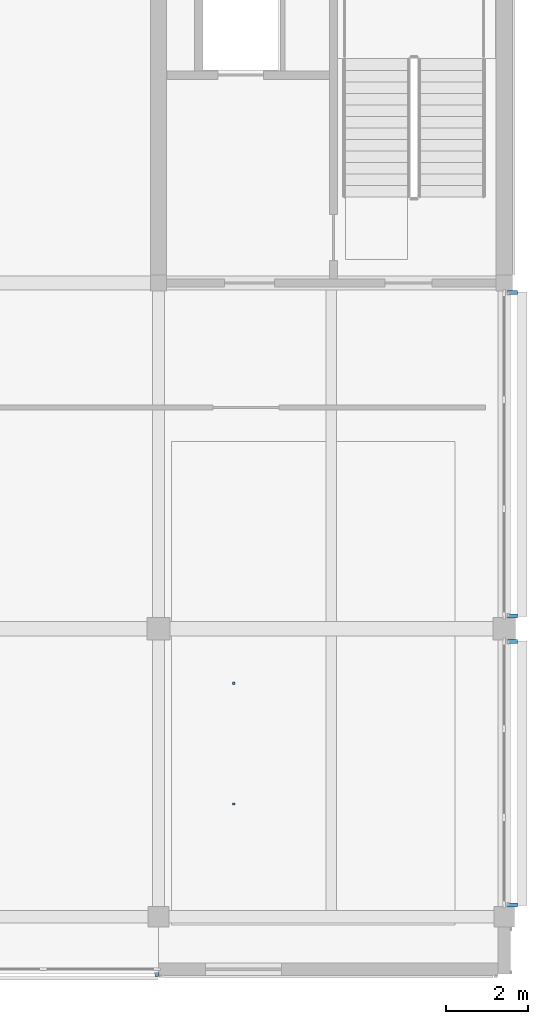
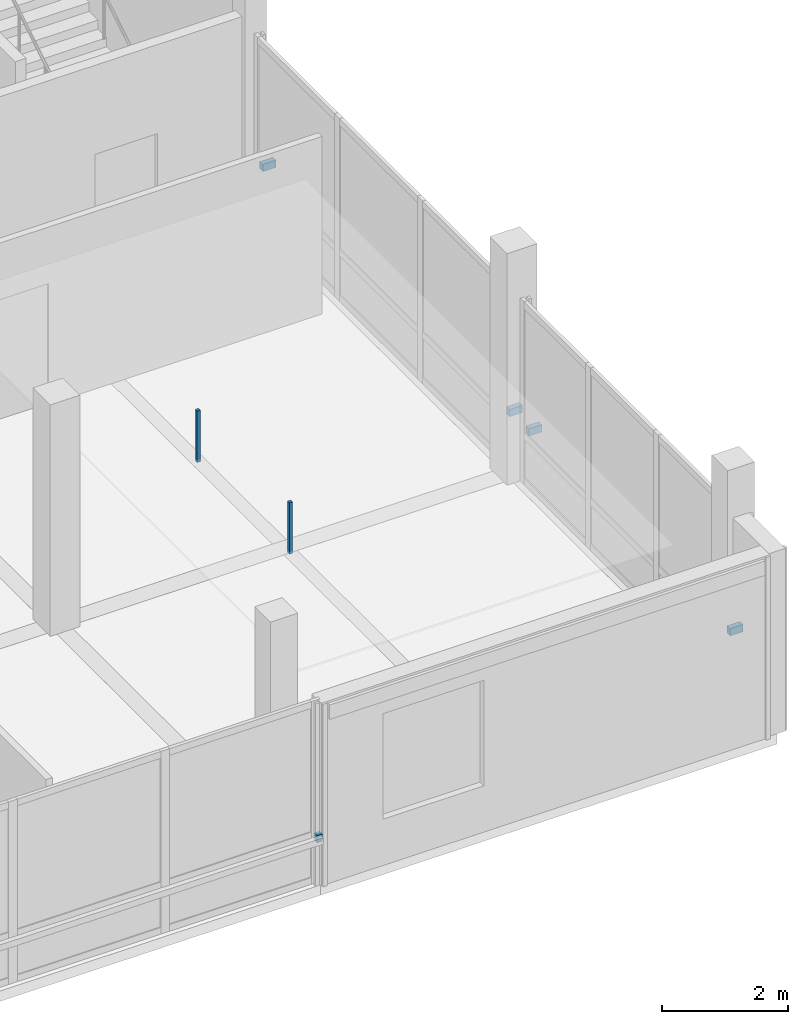
# One storey, part 12 of 20: 7 discrete accessories.
"""IFC4 building model written with IfcOpenShell, lengths in metres."""

from ifc_helpers import new_model, si_unit, direction, frame, origin, origin_2d, place, context, subcontext, project, spatial, rectangle, extrude, material, type_object, element, save


model = new_model("IFC4")

# Units and contexts
model_context = context("Model", 3, precision=1e-05, world=origin(), true_north=direction((0.0, 1.0)))
body_context = subcontext(model_context, "Body", "Model", "MODEL_VIEW")
ifc_project = project(units=[si_unit("LENGTHUNIT", "METRE"), si_unit("AREAUNIT", "SQUARE_METRE"), si_unit("VOLUMEUNIT", "CUBIC_METRE"), si_unit("PLANEANGLEUNIT", "RADIAN"), si_unit("MASSUNIT", "GRAM", prefix="KILO")], contexts=[model_context])

# Site, building, storey
site_placement = place(None, origin())
site = spatial("IfcSite", under=ifc_project, at=site_placement, CompositionType="ELEMENT")
building_placement = place(site_placement, origin())
building = spatial("IfcBuilding", under=site, at=building_placement, Name="Telukmera Botanical Conservatory", CompositionType="ELEMENT")
storey_placement = place(building_placement, frame((0.0, 0.0, 69.0)))
storey = spatial("IfcBuildingStorey", under=building, at=storey_placement, Name="L15", CompositionType="ELEMENT", Elevation=69.0)

# Discrete accessories
ifc_material = material(Name="Steel S355", Category="steel")
discrete_accessory_type_1 = type_object("IfcDiscreteAccessoryType", Name="ACC-CEIL-HGR", PredefinedType="BRACKET", material=ifc_material)
for number, where, z_axis, x_axis, name in (
    (1, (94.233642578125, 13.33740234375, 3.31005859375), (0.0, 0.0, 1.0), (1.0, 0.0, 0.0), "L15 Suspended Ceiling Hanger Rod 026-1"),
    (2, (94.233642578125, 16.27490234375, 3.31005859375), (0.0, 0.0, 1.0), (1.0, 0.0, 0.0), "L15 Suspended Ceiling Hanger Rod 026-2"),
):
    element("IfcDiscreteAccessory", number, at=place(storey_placement, frame(where, z_axis=z_axis, x_axis=x_axis)), inside=storey, type_object=discrete_accessory_type_1, Name=name, PredefinedType="BRACKET", context=body_context, shape_type="SweptSolid", body=[
        extrude(rectangle(XDim=0.06005859375, YDim=0.06005859375, at=origin_2d()), origin(), (0.0, 0.0, 1.0), 0.9951171875),
    ])
discrete_accessory_type_2 = type_object("IfcDiscreteAccessoryType", Name="Structural Steel Facade Outrigger Fin Bracket", PredefinedType="BRACKET", material=ifc_material)
discrete_accessory_placement = place(storey_placement, frame((92.365478515625, 9.195068359375, 0.8798828125), z_axis=(0.0, 0.0, 1.0), x_axis=(1.0, 0.0, 0.0)))
element("IfcDiscreteAccessory", 3, at=discrete_accessory_placement, inside=storey, type_object=discrete_accessory_type_2, Name="Facade Outrigger Bracket V4:L15:S4 B", PredefinedType="BRACKET", context=body_context, shape_type="SweptSolid", body=[
    extrude(rectangle(XDim=0.10009765625, YDim=0.090087890625, at=origin_2d()), origin(), (0.0, 0.0, 1.0), 0.139892578125),
])
for number, where, z_axis, x_axis, name in (
    (4, (101.0, 10.884521484375, 0.8798828125), (0.0, 0.0, 1.0), (0.0, 1.0, 0.0), "Facade Outrigger Bracket V4:L15:E1 A"),
    (5, (101.0, 17.29052734375, 0.8798828125), (0.0, 0.0, 1.0), (0.0, 1.0, 0.0), "Facade Outrigger Bracket V4:L15:E1 B"),
    (6, (101.0, 17.909423828125, 0.8798828125), (0.0, 0.0, 1.0), (0.0, 1.0, 0.0), "Facade Outrigger Bracket V4:L15:E2 A"),
    (7, (101.0, 25.765380859375, 0.8798828125), (0.0, 0.0, 1.0), (0.0, 1.0, 0.0), "Facade Outrigger Bracket V4:L15:E2 B"),
):
    element("IfcDiscreteAccessory", number, at=place(storey_placement, frame(where, z_axis=z_axis, x_axis=x_axis)), inside=storey, type_object=discrete_accessory_type_2, Name=name, PredefinedType="BRACKET", context=body_context, shape_type="SweptSolid", body=[
        extrude(rectangle(XDim=0.10009765625, YDim=0.239990234375, at=origin_2d()), origin(), (0.0, 0.0, 1.0), 0.139892578125),
    ])

save(model, "model.ifc")
